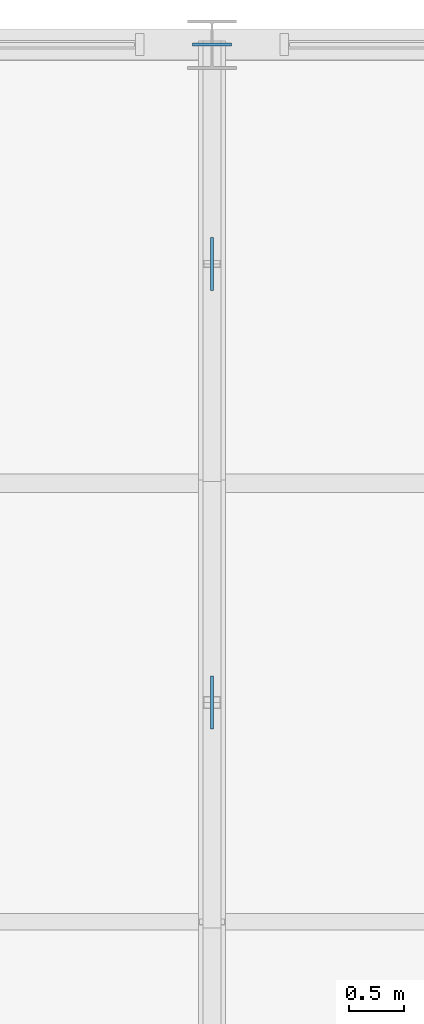
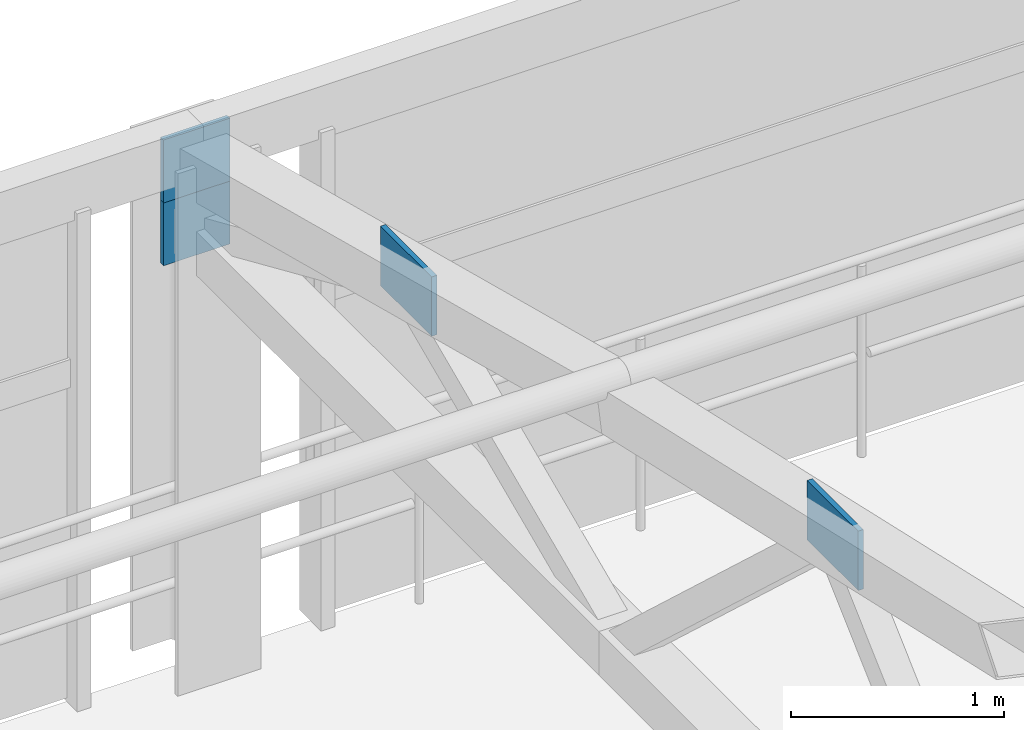
# One storey, part 33 of 50: 4 plates.
"""IFC4 building model written with IfcOpenShell, lengths in metres."""

from ifc_helpers import new_model, si_unit, derived_unit, direction, frame, origin, origin_2d, place, context, subcontext, project, spatial, rectangle, extrude, material, layer, layer_set, type_object, element, save


model = new_model("IFC4")

# Units and contexts
model_context = context("Model", 3, precision=1e-05, world=origin(), true_north=direction((0.0, 1.0)))
body_context = subcontext(model_context, "Body", "Model", "MODEL_VIEW")
ifc_project = project(units=[si_unit("LENGTHUNIT", "METRE"), si_unit("AREAUNIT", "SQUARE_METRE"), si_unit("VOLUMEUNIT", "CUBIC_METRE"), si_unit("PLANEANGLEUNIT", "RADIAN"), si_unit("MASSUNIT", "GRAM", prefix="KILO"), si_unit("THERMODYNAMICTEMPERATUREUNIT", "KELVIN"), derived_unit("THERMALTRANSMITTANCEUNIT", [(si_unit("POWERUNIT", "WATT"), 1), (si_unit("AREAUNIT", "SQUARE_METRE"), -1), (si_unit("THERMODYNAMICTEMPERATUREUNIT", "KELVIN"), -1)])], contexts=[model_context])

# Site, building, storey
site_placement = place(None, origin())
site = spatial("IfcSite", under=ifc_project, at=site_placement, CompositionType="ELEMENT")
building_placement = place(site_placement, origin())
building = spatial("IfcBuilding", under=site, at=building_placement, Name="Haiyu Intermodal Mobility Hub", CompositionType="ELEMENT")
storey_placement = place(building_placement, frame((0.0, 0.0, 25.10009765625)))
storey = spatial("IfcBuildingStorey", under=building, at=storey_placement, Name="L06", CompositionType="ELEMENT", Elevation=25.10009765625)

# Plates
ifc_material = material(Name="Steel Q355C", Category="steel")
ifc_layer_1 = layer(ifc_material, 0.031982421875)
ifc_layer_set_1 = layer_set([ifc_layer_1], Name="Steel Q355C")
plate_type_1 = type_object("IfcPlateType", Name="PLT-GP02-INT", PredefinedType="USERDEFINED", material=ifc_layer_set_1)
for number, where, z_axis, x_axis, name in (
    (1, (78.0, 148.0, 2.6796875), (0.0, 0.0, 1.0), (1.0, 0.0, 0.0), "Pavilion Truss End Cap 4-2"),
    (2, (78.0, 148.0, 2.31982421875), (0.0, 0.0, 1.0), (1.0, 0.0, 0.0), "Pavilion Truss End Cap 4-4"),
):
    element("IfcPlate", number, at=place(storey_placement, frame(where, z_axis=z_axis, x_axis=x_axis)), inside=storey, type_object=plate_type_1, Name=name, ObjectType="GUSSET PLATE", PredefinedType="USERDEFINED", context=body_context, shape_type="SweptSolid", body=[
        extrude(rectangle(XDim=0.360107421875, YDim=0.028076171875, at=origin_2d()), origin(), (0.0, 0.0, 1.0), 0.360107421875),
    ])
ifc_layer_2 = layer(ifc_material, 0.02587890625)
ifc_layer_set_2 = layer_set([ifc_layer_2], Name="Steel Q355C")
plate_type_2 = type_object("IfcPlateType", Name="PLT-GP06-INT", PredefinedType="USERDEFINED", material=ifc_layer_set_2)
for number, where, z_axis, x_axis, name in (
    (3, (78.0, 142.0, 4.1787109375), (0.0, 0.0, 1.0), (1.0, 0.0, 0.0), "PLT-PAV-063"),
    (4, (78.0, 146.0, 3.2080078125), (0.0, 0.0, 1.0), (1.0, 0.0, 0.0), "PLT-PAV-064"),
):
    element("IfcPlate", number, at=place(storey_placement, frame(where, z_axis=z_axis, x_axis=x_axis)), inside=storey, type_object=plate_type_2, Name=name, ObjectType="GUSSET PLATE", PredefinedType="USERDEFINED", context=body_context, shape_type="SweptSolid", body=[
        extrude(rectangle(XDim=0.028076171875, YDim=0.47998046875, at=origin_2d()), origin(), (0.0, 0.0, 1.0), 0.340087890625),
    ])

save(model, "model.ifc")
